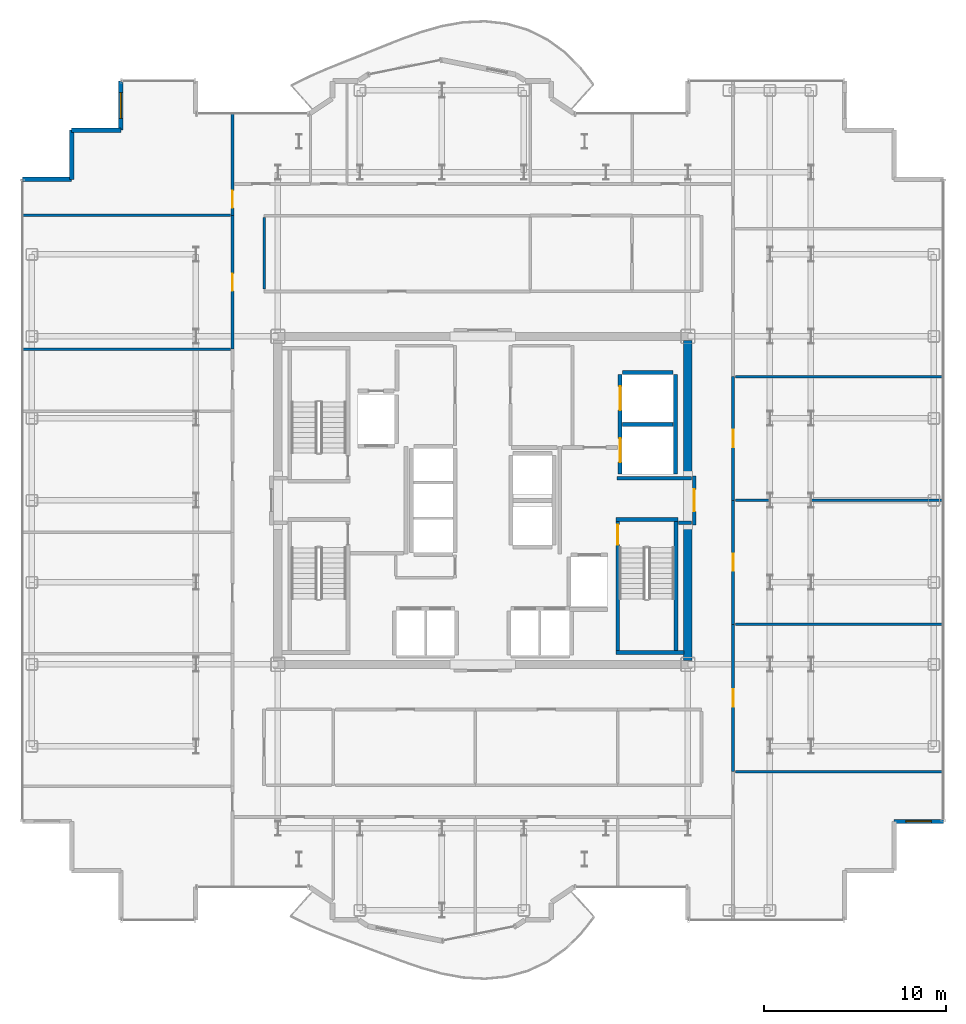
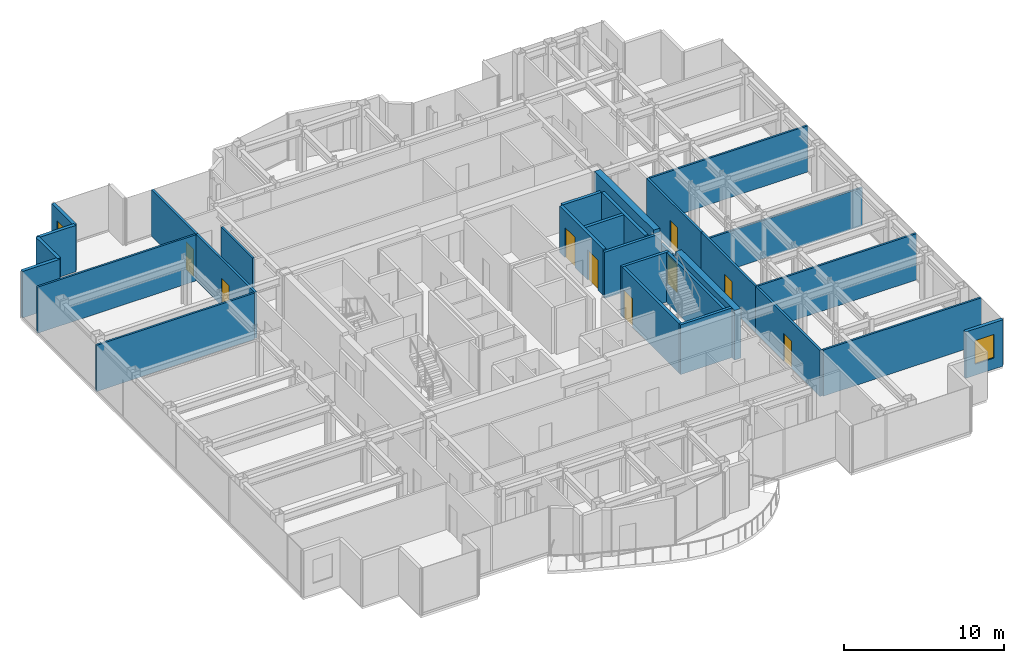
# One storey, part 17 of 21: 30 walls, 9 doors, 2 windows, 11 openings.
"""IFC4 building model written with IfcOpenShell, lengths in metres."""

from ifc_helpers import new_model, si_unit, direction, frame, frame_2d, origin, place, context, subcontext, project, spatial, rectangle, extrude, source, transform, mapped, material, layer, layer_set, type_object, element, fill, save


model = new_model("IFC4")

# Units and contexts
model_context = context("Model", 3, precision=1e-05, world=origin(), true_north=direction((0.0, 1.0)))
body_context = subcontext(model_context, "Body", "Model", "MODEL_VIEW")
ifc_project = project(units=[si_unit("LENGTHUNIT", "METRE"), si_unit("AREAUNIT", "SQUARE_METRE"), si_unit("VOLUMEUNIT", "CUBIC_METRE"), si_unit("PLANEANGLEUNIT", "RADIAN"), si_unit("MASSUNIT", "GRAM", prefix="KILO")], contexts=[model_context])

# Site, building, storey
site_placement = place(None, origin())
site = spatial("IfcSite", under=ifc_project, at=site_placement, CompositionType="ELEMENT")
building_placement = place(site_placement, origin())
building = spatial("IfcBuilding", under=site, at=building_placement, Name="Nefas-Gora Pilgrimage Tower", CompositionType="ELEMENT")
storey_placement = place(building_placement, frame((0.0, 0.0, 210.39990234375)))
storey = spatial("IfcBuildingStorey", under=building, at=storey_placement, Name="L52", CompositionType="ELEMENT", Elevation=210.39990234375)

# Walls
ifc_material_1 = material(Name="Concrete C50/60", Category="concrete")
ifc_layer_1 = layer(ifc_material_1, 0.449951171875)
ifc_layer_set_1 = layer_set([ifc_layer_1], Name="Concrete C50/60")
wall_type_1 = type_object("IfcWallType", Name="SW-CORE-450", PredefinedType="SHEAR", material=ifc_layer_set_1)
shared_shape_1 = source(origin(), body_context, "Body", "SweptSolid", [
    extrude(rectangle(XDim=7.4248046875, YDim=0.449951171875, at=frame_2d((3.71240234375, 0.0))), origin(), (0.0, 0.0, 1.0), 3.800048828125),
])
for number, where, z_axis, x_axis, name in (
    (1, (11.25, -8.77490234375, 0.0), (0.0, 0.0, 1.0), (0.0, 1.0, 0.0), "L52 Core Shear Wall E-South"),
    (2, (11.25, 1.35009765625, 0.0), (0.0, 0.0, 1.0), (0.0, 1.0, 0.0), "L52 Core Shear Wall E-North"),
):
    element("IfcWall", number, at=place(storey_placement, frame(where, z_axis=z_axis, x_axis=x_axis)), inside=storey, type_object=wall_type_1, Name=name, PredefinedType="SHEAR", context=body_context, shape_type="MappedRepresentation", body=[
        mapped(shared_shape_1, transform((0.0, 0.0, 0.0), x_axis=(1.0, 0.0, 0.0), y_axis=(0.0, 1.0, 0.0), z_axis=(0.0, 0.0, 1.0), scale=1.0)),
    ])

# Wall, opening, window
ifc_material_2 = material(Name="Precast concrete C45/55", Category="concrete")
ifc_layer_2 = layer(ifc_material_2, 0.239990234375)
ifc_layer_set_2 = layer_set([ifc_layer_2], Name="Precast concrete C45/55")
wall_type_2 = type_object("IfcWallType", Name="EW-SERR-240", PredefinedType="SHEAR", material=ifc_layer_set_2)
shared_shape_2 = source(origin(), body_context, "Body", "SweptSolid", [
    extrude(rectangle(XDim=2.699951171875, YDim=0.239990234375, at=frame_2d((1.35009765625, 0.0))), origin(), (0.0, 0.0, 1.0), 3.550048828125),
])
wall_1_placement = place(storey_placement, frame((22.570068359375, -17.6201171875, 0.0), z_axis=(0.0, 0.0, 1.0), x_axis=(1.0, 0.0, 0.0)))
wall_1 = element("IfcWall", 3, at=wall_1_placement, inside=storey, type_object=wall_type_2, Name="L52 Serrated Corner Shear Pier Wall 5", PredefinedType="SHEAR", context=body_context, shape_type="MappedRepresentation", body=[
    mapped(shared_shape_2, transform((0.0, 0.0, 0.0), x_axis=(1.0, 0.0, 0.0), y_axis=(0.0, 1.0, 0.0), z_axis=(0.0, 0.0, 1.0), scale=1.0)),
])
opening_1_placement = place(wall_1_placement, frame((0.64990234375, 0.0, 0.85009765625)))
opening_1 = element("IfcOpeningElement", 4, at=opening_1_placement, cuts=wall_1, Name="Opening W-V2", PredefinedType="OPENING", context=body_context, shape_type="SweptSolid", body=[
    extrude(rectangle(XDim=1.39990234375, YDim=1.800048828125, at=frame_2d((0.699951171875, 0.89990234375))), frame((0.0, 0.1298828125, 0.0), z_axis=(0.0, -1.0, 0.0), x_axis=(1.0, 0.0, 0.0)), (0.0, 0.0, 1.0), 0.260009765625),
])
ifc_material_3 = material(Name="Dark ceramic-fritted operable aluminium-glass window", Category="aluminium")
window_type = type_object("IfcWindowType", Name="WIN-VENT-1400x1800", PartitioningType="SINGLE_PANEL", PredefinedType="WINDOW", material=ifc_material_3)
shared_shape_3 = source(origin(), body_context, "Body", "SweptSolid", [
    extrude(rectangle(XDim=1.39990234375, YDim=1.800048828125, at=frame_2d((0.699951171875, 0.89990234375))), frame((0.0, 0.030029296875, 0.0), z_axis=(0.0, -1.0, 0.0), x_axis=(1.0, 0.0, 0.0)), (0.0, 0.0, 1.0), 0.06005859375),
])
window_1_placement = place(opening_1_placement, origin())
window_1 = element("IfcWindow", 5, at=window_1_placement, inside=storey, type_object=window_type, Name="L52 Operable Parallel-Outswing Window 5", OverallHeight=1.800048828125, OverallWidth=1.39990234375, PartitioningType="SINGLE_PANEL", PredefinedType="WINDOW", context=body_context, shape_type="MappedRepresentation", body=[
    mapped(shared_shape_3, transform((0.0, 0.0, 0.0), x_axis=(1.0, 0.0, 0.0), y_axis=(0.0, 1.0, 0.0), z_axis=(0.0, 0.0, 1.0), scale=1.0)),
])
fill(opening_1, window_1)

wall_2_placement = place(storey_placement, frame((-19.8701171875, 23.02001953125, 0.0), z_axis=(0.0, 0.0, 1.0), x_axis=(0.0, -1.0, 0.0)))
wall_2 = element("IfcWall", 6, at=wall_2_placement, inside=storey, type_object=wall_type_2, Name="L52 Serrated Corner Shear Pier Wall 21", PredefinedType="SHEAR", context=body_context, shape_type="MappedRepresentation", body=[
    mapped(shared_shape_2, transform((0.0, 0.0, 0.0), x_axis=(1.0, 0.0, 0.0), y_axis=(0.0, 1.0, 0.0), z_axis=(0.0, 0.0, 1.0), scale=1.0)),
])
opening_2_placement = place(wall_2_placement, frame((0.64990234375, 0.0, 0.85009765625)))
opening_2 = element("IfcOpeningElement", 7, at=opening_2_placement, cuts=wall_2, Name="Opening W-V2", PredefinedType="OPENING", context=body_context, shape_type="SweptSolid", body=[
    extrude(rectangle(XDim=1.39990234375, YDim=1.800048828125, at=frame_2d((0.699951171875, 0.89990234375))), frame((0.0, 0.1298828125, 0.0), z_axis=(0.0, -1.0, 0.0), x_axis=(1.0, 0.0, 0.0)), (0.0, 0.0, 1.0), 0.260009765625),
])
window_2_placement = place(opening_2_placement, origin())
window_2 = element("IfcWindow", 8, at=window_2_placement, inside=storey, type_object=window_type, Name="L52 Operable Parallel-Outswing Window 21", OverallHeight=1.800048828125, OverallWidth=1.39990234375, PartitioningType="SINGLE_PANEL", PredefinedType="WINDOW", context=body_context, shape_type="MappedRepresentation", body=[
    mapped(shared_shape_3, transform((0.0, 0.0, 0.0), x_axis=(1.0, 0.0, 0.0), y_axis=(0.0, 1.0, 0.0), z_axis=(0.0, 0.0, 1.0), scale=1.0)),
])
fill(opening_2, window_2)

# Walls
for number, where, z_axis, x_axis, name in (
    (9, (-19.8701171875, 20.320068359375, 0.0), (0.0, 0.0, 1.0), (-1.0, 0.0, 0.0), "L52 Serrated Corner Shear Pier Wall 22"),
    (10, (-22.570068359375, 20.320068359375, 0.0), (0.0, 0.0, 1.0), (0.0, -1.0, 0.0), "L52 Serrated Corner Shear Pier Wall 23"),
    (11, (-22.570068359375, 17.6201171875, 0.0), (0.0, 0.0, 1.0), (-1.0, 0.0, 0.0), "L52 Serrated Corner Shear Pier Wall 24"),
):
    element("IfcWall", number, at=place(storey_placement, frame(where, z_axis=z_axis, x_axis=x_axis)), inside=storey, type_object=wall_type_2, Name=name, PredefinedType="SHEAR", context=body_context, shape_type="MappedRepresentation", body=[
        mapped(shared_shape_2, transform((0.0, 0.0, 0.0), x_axis=(1.0, 0.0, 0.0), y_axis=(0.0, 1.0, 0.0), z_axis=(0.0, 0.0, 1.0), scale=1.0)),
    ])
ifc_material_4 = material(Name="Concrete C45/55", Category="concrete")
ifc_layer_3 = layer(ifc_material_4, 0.199951171875)
ifc_layer_set_3 = layer_set([ifc_layer_3], Name="Concrete C45/55")
wall_type_3 = type_object("IfcWallType", Name="IW-STAIR-200", PredefinedType="SOLIDWALL", material=ifc_layer_set_3)
shared_shape_4 = source(origin(), body_context, "Body", "SweptSolid", [
    extrude(rectangle(XDim=3.39990234375, YDim=0.199951171875, at=frame_2d((1.699951171875, 0.0))), origin(), (0.0, 0.0, 1.0), 3.800048828125),
])
wall_3_placement = place(storey_placement, frame((7.300048828125, -1.050048828125, 0.0), z_axis=(0.0, 0.0, 1.0), x_axis=(1.0, 0.0, 0.0)))
element("IfcWall", 12, at=wall_3_placement, inside=storey, type_object=wall_type_3, Name="L52 Stairwell Shear Wall ST-02-near", PredefinedType="SOLIDWALL", context=body_context, shape_type="MappedRepresentation", body=[
    mapped(shared_shape_4, transform((0.0, 0.0, 0.0), x_axis=(1.0, 0.0, 0.0), y_axis=(0.0, 1.0, 0.0), z_axis=(0.0, 0.0, 1.0), scale=1.0)),
])

# Wall, opening, door
shared_shape_5 = source(origin(), body_context, "Body", "SweptSolid", [
    extrude(rectangle(XDim=7.10009765625, YDim=0.199951171875, at=frame_2d((3.550048828125, 0.0))), origin(), (0.0, 0.0, 1.0), 3.800048828125),
])
wall_4_placement = place(storey_placement, frame((7.39990234375, -1.14990234375, 0.0), z_axis=(0.0, 0.0, 1.0), x_axis=(0.0, -1.0, 0.0)))
wall_4 = element("IfcWall", 13, at=wall_4_placement, inside=storey, type_object=wall_type_3, Name="L52 Stairwell Shear Wall ST-02-left", PredefinedType="SOLIDWALL", context=body_context, shape_type="MappedRepresentation", body=[
    mapped(shared_shape_5, transform((0.0, 0.0, 0.0), x_axis=(1.0, 0.0, 0.0), y_axis=(0.0, 1.0, 0.0), z_axis=(0.0, 0.0, 1.0), scale=1.0)),
])
opening_3_placement = place(wall_4_placement, frame((0.179931640625, 0.0, 0.0)))
opening_3 = element("IfcOpeningElement", 14, at=opening_3_placement, cuts=wall_4, Name="Opening ID-ST1", PredefinedType="OPENING", context=body_context, shape_type="SweptSolid", body=[
    extrude(rectangle(XDim=1.10009765625, YDim=2.14990234375, at=frame_2d((0.550048828125, 1.074951171875))), frame((0.0, 0.10986328125, 0.0), z_axis=(0.0, -1.0, 0.0), x_axis=(1.0, 0.0, 0.0)), (0.0, 0.0, 1.0), 0.219970703125),
])
ifc_material_5 = material(Name="Painted galvanised steel fire stair door", Category="steel")
door_type_1 = type_object("IfcDoorType", Name="DR-INT-STAIR-1100", OperationType="NOTDEFINED", PredefinedType="DOOR", material=ifc_material_5)
shared_shape_6 = source(origin(), body_context, "Body", "SweptSolid", [
    extrude(rectangle(XDim=1.10009765625, YDim=2.14990234375, at=frame_2d((0.550048828125, 1.074951171875))), frame((0.0, 0.02490234375, 0.0), z_axis=(0.0, -1.0, 0.0), x_axis=(1.0, 0.0, 0.0)), (0.0, 0.0, 1.0), 0.050048828125),
])
door_1_placement = place(opening_3_placement, origin())
door_1 = element("IfcDoor", 15, at=door_1_placement, inside=storey, type_object=door_type_1, Name="L52 Protected Exit Stair Door ST-02", OperationType="SINGLE_SWING_LEFT", OverallHeight=2.14990234375, OverallWidth=1.10009765625, PredefinedType="DOOR", context=body_context, shape_type="MappedRepresentation", body=[
    mapped(shared_shape_6, transform((0.0, 0.0, 0.0), x_axis=(1.0, 0.0, 0.0), y_axis=(0.0, 1.0, 0.0), z_axis=(0.0, 0.0, 1.0), scale=1.0)),
])
fill(opening_3, door_1)

# Walls
wall_5_placement = place(storey_placement, frame((10.60009765625, -1.14990234375, 0.0), z_axis=(0.0, 0.0, 1.0), x_axis=(0.0, -1.0, 0.0)))
element("IfcWall", 16, at=wall_5_placement, inside=storey, type_object=wall_type_3, Name="L52 Stairwell Shear Wall ST-02-right", PredefinedType="SOLIDWALL", context=body_context, shape_type="MappedRepresentation", body=[
    mapped(shared_shape_5, transform((0.0, 0.0, 0.0), x_axis=(1.0, 0.0, 0.0), y_axis=(0.0, 1.0, 0.0), z_axis=(0.0, 0.0, 1.0), scale=1.0)),
])
shared_shape_7 = source(origin(), body_context, "Body", "SweptSolid", [
    extrude(rectangle(XDim=3.72998046875, YDim=0.199951171875, at=frame_2d((1.864990234375, 0.0))), origin(), (0.0, 0.0, 1.0), 3.800048828125),
])
wall_6_placement = place(storey_placement, frame((7.300048828125, -8.35009765625, 0.0), z_axis=(0.0, 0.0, 1.0), x_axis=(1.0, 0.0, 0.0)))
element("IfcWall", 17, at=wall_6_placement, inside=storey, type_object=wall_type_3, Name="L52 Stairwell Shear Wall ST-02-far", PredefinedType="SOLIDWALL", context=body_context, shape_type="MappedRepresentation", body=[
    mapped(shared_shape_7, transform((0.0, 0.0, 0.0), x_axis=(1.0, 0.0, 0.0), y_axis=(0.0, 1.0, 0.0), z_axis=(0.0, 0.0, 1.0), scale=1.0)),
])

# Wall, openings, doors
ifc_material_6 = material(Name="Concrete C40/50", Category="concrete")
ifc_layer_4 = layer(ifc_material_6, 0.219970703125)
ifc_layer_set_4 = layer_set([ifc_layer_4], Name="Concrete C40/50")
wall_type_4 = type_object("IfcWallType", Name="IW-SHAFT-220", PredefinedType="SOLIDWALL", material=ifc_layer_set_4)
shared_shape_8 = source(origin(), body_context, "Body", "SweptSolid", [
    extrude(rectangle(XDim=5.449951171875, YDim=0.219970703125, at=frame_2d((2.72509765625, 0.0))), origin(), (0.0, 0.0, 1.0), 3.53515625),
])
wall_7_placement = place(storey_placement, frame((7.5400390625, 6.89990234375, 0.0), z_axis=(0.0, 0.0, 1.0), x_axis=(0.0, -1.0, 0.0)))
wall_7 = element("IfcWall", 18, at=wall_7_placement, inside=storey, type_object=wall_type_4, Name="L52 Hoistway Wall SL-01-02-W", PredefinedType="SOLIDWALL", context=body_context, shape_type="MappedRepresentation", body=[
    mapped(shared_shape_8, transform((0.0, 0.0, 0.0), x_axis=(1.0, 0.0, 0.0), y_axis=(0.0, 1.0, 0.0), z_axis=(0.0, 0.0, 1.0), scale=1.0)),
])
opening_4_placement = place(wall_7_placement, frame((3.5, 0.0, 0.0)))
opening_4 = element("IfcOpeningElement", 19, at=opening_4_placement, cuts=wall_7, Name="Opening LD-SV", PredefinedType="OPENING", context=body_context, shape_type="SweptSolid", body=[
    extrude(rectangle(XDim=1.300048828125, YDim=2.300048828125, at=frame_2d((0.64990234375, 1.14990234375))), frame((0.0, 0.119873046875, 0.0), z_axis=(0.0, -1.0, 0.0), x_axis=(1.0, 0.0, 0.0)), (0.0, 0.0, 1.0), 0.239990234375),
])
opening_5_placement = place(wall_7_placement, frame((0.64990234375, 0.0, 0.0)))
opening_5 = element("IfcOpeningElement", 20, at=opening_5_placement, cuts=wall_7, Name="Opening LD-SV", PredefinedType="OPENING", context=body_context, shape_type="SweptSolid", body=[
    extrude(rectangle(XDim=1.300048828125, YDim=2.300048828125, at=frame_2d((0.64990234375, 1.14990234375))), frame((0.0, 0.119873046875, 0.0), z_axis=(0.0, -1.0, 0.0), x_axis=(1.0, 0.0, 0.0)), (0.0, 0.0, 1.0), 0.239990234375),
])
ifc_material_7 = material(Name="Heavy goods sliding lift landing door")
door_type_2 = type_object("IfcDoorType", Name="DR-LIFT-SERV-1300", OperationType="SLIDING_TO_RIGHT", PredefinedType="DOOR", material=ifc_material_7)
shared_shape_9 = source(origin(), body_context, "Body", "SweptSolid", [
    extrude(rectangle(XDim=1.300048828125, YDim=2.300048828125, at=frame_2d((0.64990234375, 1.14990234375))), frame((0.0, 0.02490234375, 0.0), z_axis=(0.0, -1.0, 0.0), x_axis=(1.0, 0.0, 0.0)), (0.0, 0.0, 1.0), 0.050048828125),
])
door_2_placement = place(opening_4_placement, origin())
door_2 = element("IfcDoor", 21, at=door_2_placement, inside=storey, type_object=door_type_2, Name="L52 Sliding Lift Landing Door SL-01", OperationType="SLIDING_TO_RIGHT", OverallHeight=2.300048828125, OverallWidth=1.300048828125, PredefinedType="DOOR", context=body_context, shape_type="MappedRepresentation", body=[
    mapped(shared_shape_9, transform((0.0, 0.0, 0.0), x_axis=(1.0, 0.0, 0.0), y_axis=(0.0, 1.0, 0.0), z_axis=(0.0, 0.0, 1.0), scale=1.0)),
])
fill(opening_4, door_2)
door_3_placement = place(opening_5_placement, origin())
door_3 = element("IfcDoor", 22, at=door_3_placement, inside=storey, type_object=door_type_2, Name="L52 Sliding Lift Landing Door SL-02", OperationType="SLIDING_TO_RIGHT", OverallHeight=2.300048828125, OverallWidth=1.300048828125, PredefinedType="DOOR", context=body_context, shape_type="MappedRepresentation", body=[
    mapped(shared_shape_9, transform((0.0, 0.0, 0.0), x_axis=(1.0, 0.0, 0.0), y_axis=(0.0, 1.0, 0.0), z_axis=(0.0, 0.0, 1.0), scale=1.0)),
])
fill(opening_5, door_3)

# Walls
wall_8_placement = place(storey_placement, frame((10.56005859375, 1.449951171875, 0.0), z_axis=(0.0, 0.0, 1.0), x_axis=(0.0, 1.0, 0.0)))
element("IfcWall", 23, at=wall_8_placement, inside=storey, type_object=wall_type_4, Name="L52 Hoistway Wall SL-01-02-E", PredefinedType="SOLIDWALL", context=body_context, shape_type="MappedRepresentation", body=[
    mapped(shared_shape_8, transform((0.0, 0.0, 0.0), x_axis=(1.0, 0.0, 0.0), y_axis=(0.0, 1.0, 0.0), z_axis=(0.0, 0.0, 1.0), scale=1.0)),
])
shared_shape_10 = source(origin(), body_context, "Body", "SweptSolid", [
    extrude(rectangle(XDim=2.780029296875, YDim=0.219970703125, at=frame_2d((1.39013671875, 0.0))), origin(), (0.0, 0.0, 1.0), 3.53515625),
])
for number, where, z_axis, x_axis, name in (
    (24, (7.659912109375, 4.175048828125, 0.0), (0.0, 0.0, 1.0), (1.0, 0.0, 0.0), "L52 Hoistway Wall SL-01-02-DIV"),
    (25, (10.43994140625, 7.010009765625, 0.0), (0.0, 0.0, 1.0), (-1.0, 0.0, 0.0), "L52 Hoistway Wall SL-02-N"),
):
    element("IfcWall", number, at=place(storey_placement, frame(where, z_axis=z_axis, x_axis=x_axis)), inside=storey, type_object=wall_type_4, Name=name, PredefinedType="SOLIDWALL", context=body_context, shape_type="MappedRepresentation", body=[
        mapped(shared_shape_10, transform((0.0, 0.0, 0.0), x_axis=(1.0, 0.0, 0.0), y_axis=(0.0, 1.0, 0.0), z_axis=(0.0, 0.0, 1.0), scale=1.0)),
    ])
ifc_material_8 = material(Name="Gypsum fire-rated shaftwall")
ifc_layer_5 = layer(ifc_material_8, 0.199951171875)
ifc_layer_set_5 = layer_set([ifc_layer_5], Name="Gypsum fire-rated shaftwall")
wall_type_5 = type_object("IfcWallType", Name="IW-FFLOB-200", PredefinedType="PARTITIONING", material=ifc_layer_set_5)
shared_shape_11 = source(origin(), body_context, "Body", "SweptSolid", [
    extrude(rectangle(XDim=0.719970703125, YDim=0.199951171875, at=frame_2d((0.35986328125, 0.0))), origin(), (0.0, 0.0, 1.0), 3.53515625),
])
wall_9_placement = place(storey_placement, frame((10.739990234375, -1.219970703125, 0.0), z_axis=(0.0, 0.0, 1.0), x_axis=(1.0, 0.0, 0.0)))
element("IfcWall", 26, at=wall_9_placement, inside=storey, type_object=wall_type_5, Name="L52 FF Lobby East Throat S Wall 14", PredefinedType="PARTITIONING", context=body_context, shape_type="MappedRepresentation", body=[
    mapped(shared_shape_11, transform((0.0, 0.0, 0.0), x_axis=(1.0, 0.0, 0.0), y_axis=(0.0, 1.0, 0.0), z_axis=(0.0, 0.0, 1.0), scale=1.0)),
])
shared_shape_12 = source(origin(), body_context, "Body", "SweptSolid", [
    extrude(rectangle(XDim=4.10986328125, YDim=0.199951171875, at=frame_2d((2.054931640625, 0.0))), origin(), (0.0, 0.0, 1.0), 3.53515625),
])
wall_10_placement = place(storey_placement, frame((7.35009765625, 1.219970703125, 0.0), z_axis=(0.0, 0.0, 1.0), x_axis=(1.0, 0.0, 0.0)))
element("IfcWall", 27, at=wall_10_placement, inside=storey, type_object=wall_type_5, Name="L52 FF Lobby East Throat N Wall 13", PredefinedType="PARTITIONING", context=body_context, shape_type="MappedRepresentation", body=[
    mapped(shared_shape_12, transform((0.0, 0.0, 0.0), x_axis=(1.0, 0.0, 0.0), y_axis=(0.0, 1.0, 0.0), z_axis=(0.0, 0.0, 1.0), scale=1.0)),
])
ifc_material_9 = material(Name="Gypsum twin-stud partition")
ifc_layer_6 = layer(ifc_material_9, 0.139892578125)
ifc_layer_set_6 = layer_set([ifc_layer_6], Name="Gypsum twin-stud partition")
wall_type_6 = type_object("IfcWallType", Name="IW-UNIT-140", PredefinedType="PARTITIONING", material=ifc_layer_set_6)
shared_shape_13 = source(origin(), body_context, "Body", "SweptSolid", [
    extrude(rectangle(XDim=11.429931640625, YDim=0.139892578125, at=frame_2d((5.71484375, 0.0))), origin(), (0.0, 0.0, 1.0), 3.53515625),
])
for number, where, z_axis, x_axis, name in (
    (28, (-25.2900390625, 8.294921875, 0.0), (0.0, 0.0, 1.0), (1.0, 0.0, 0.0), "L52 Pastoral Chaplains Counselling Office Partition Wall 37"),
    (29, (-25.2900390625, 15.6474609375, 0.0), (0.0, 0.0, 1.0), (1.0, 0.0, 0.0), "L52 Pilgrim Fellowship Seminar Room Partition Wall 39"),
    (30, (13.860107421875, -14.8974609375, 0.0), (0.0, 0.0, 1.0), (1.0, 0.0, 0.0), "L52 Pilgrim Fellowship Seminar Room Partition Wall 42"),
    (31, (13.860107421875, -6.804931640625, 0.0), (0.0, 0.0, 1.0), (1.0, 0.0, 0.0), "L52 Pilgrim Fellowship Seminar Room Partition Wall 44"),
    (32, (13.860107421875, 6.794921875, 0.0), (0.0, 0.0, 1.0), (1.0, 0.0, 0.0), "L52 Pilgrim Contemplative Lounge Partition Wall 48"),
):
    element("IfcWall", number, at=place(storey_placement, frame(where, z_axis=z_axis, x_axis=x_axis)), inside=storey, type_object=wall_type_6, Name=name, PredefinedType="PARTITIONING", context=body_context, shape_type="MappedRepresentation", body=[
        mapped(shared_shape_13, transform((0.0, 0.0, 0.0), x_axis=(1.0, 0.0, 0.0), y_axis=(0.0, 1.0, 0.0), z_axis=(0.0, 0.0, 1.0), scale=1.0)),
    ])
shared_shape_14 = source(origin(), body_context, "Body", "SweptSolid", [
    extrude(rectangle(XDim=3.929931640625, YDim=0.139892578125, at=frame_2d((1.96484375, 0.0))), origin(), (0.0, 0.0, 1.0), 3.53515625),
])
wall_11_placement = place(storey_placement, frame((-12.0, 11.590087890625, 0.0), z_axis=(0.0, 0.0, 1.0), x_axis=(0.0, 1.0, 0.0)))
element("IfcWall", 33, at=wall_11_placement, inside=storey, type_object=wall_type_6, Name="L52 Pilgrim Contemplative Lounge Partition Wall 54", PredefinedType="PARTITIONING", context=body_context, shape_type="MappedRepresentation", body=[
    mapped(shared_shape_14, transform((0.0, 0.0, 0.0), x_axis=(1.0, 0.0, 0.0), y_axis=(0.0, 1.0, 0.0), z_axis=(0.0, 0.0, 1.0), scale=1.0)),
])

# Wall, opening, door
ifc_material_10 = material(Name="Gypsum acoustic stud partition")
ifc_layer_7 = layer(ifc_material_10, 0.159912109375)
ifc_layer_set_7 = layer_set([ifc_layer_7], Name="Gypsum acoustic stud partition")
wall_type_7 = type_object("IfcWallType", Name="IW-CORR-160", PredefinedType="PARTITIONING", material=ifc_layer_set_7)
shared_shape_15 = source(origin(), body_context, "Body", "SweptSolid", [
    extrude(rectangle(XDim=6.809814453125, YDim=0.159912109375, at=frame_2d((3.40478515625, 0.0))), origin(), (0.0, 0.0, 1.0), 3.53515625),
])
wall_12_placement = place(storey_placement, frame((13.739990234375, -6.804931640625, 0.0), z_axis=(0.0, 0.0, 1.0), x_axis=(0.0, 1.0, 0.0)))
wall_12 = element("IfcWall", 34, at=wall_12_placement, inside=storey, type_object=wall_type_7, Name="L52 Pilgrim Contemplative Lounge Partition Wall 45", PredefinedType="PARTITIONING", context=body_context, shape_type="MappedRepresentation", body=[
    mapped(shared_shape_15, transform((0.0, 0.0, 0.0), x_axis=(1.0, 0.0, 0.0), y_axis=(0.0, 1.0, 0.0), z_axis=(0.0, 0.0, 1.0), scale=1.0)),
])
opening_6_placement = place(wall_12_placement, frame((2.929931640625, 0.0, 0.0)))
opening_6 = element("IfcOpeningElement", 35, at=opening_6_placement, cuts=wall_12, Name="Opening ID-GR1", PredefinedType="OPENING", context=body_context, shape_type="SweptSolid", body=[
    extrude(rectangle(XDim=0.949951171875, YDim=2.10009765625, at=frame_2d((0.47509765625, 1.050048828125))), frame((0.0, 0.08984375, 0.0), z_axis=(0.0, -1.0, 0.0), x_axis=(1.0, 0.0, 0.0)), (0.0, 0.0, 1.0), 0.179931640625),
])
ifc_material_11 = material(Name="Solid core oak fire-rated guest entrance door")
door_type_3 = type_object("IfcDoorType", Name="DR-INT-GUEST-950", OperationType="NOTDEFINED", PredefinedType="DOOR", material=ifc_material_11)
shared_shape_16 = source(origin(), body_context, "Body", "SweptSolid", [
    extrude(rectangle(XDim=0.949951171875, YDim=2.10009765625, at=frame_2d((0.47509765625, 1.050048828125))), frame((0.0, 0.02490234375, 0.0), z_axis=(0.0, -1.0, 0.0), x_axis=(1.0, 0.0, 0.0)), (0.0, 0.0, 1.0), 0.050048828125),
])
door_4_placement = place(opening_6_placement, origin())
door_4 = element("IfcDoor", 36, at=door_4_placement, inside=storey, type_object=door_type_3, Name="L52 Pilgrim Contemplative Lounge Door 20", OperationType="SINGLE_SWING_RIGHT", OverallHeight=2.10009765625, OverallWidth=0.949951171875, PredefinedType="DOOR", context=body_context, shape_type="MappedRepresentation", body=[
    mapped(shared_shape_16, transform((0.0, 0.0, 0.0), x_axis=(1.0, 0.0, 0.0), y_axis=(0.0, 1.0, 0.0), z_axis=(0.0, 0.0, 1.0), scale=1.0)),
])
fill(opening_6, door_4)

wall_13_placement = place(storey_placement, frame((13.739990234375, -0.0048828125, 0.0), z_axis=(0.0, 0.0, 1.0), x_axis=(0.0, 1.0, 0.0)))
wall_13 = element("IfcWall", 37, at=wall_13_placement, inside=storey, type_object=wall_type_7, Name="L52 Pilgrim Contemplative Lounge Partition Wall 47", PredefinedType="PARTITIONING", context=body_context, shape_type="MappedRepresentation", body=[
    mapped(shared_shape_15, transform((0.0, 0.0, 0.0), x_axis=(1.0, 0.0, 0.0), y_axis=(0.0, 1.0, 0.0), z_axis=(0.0, 0.0, 1.0), scale=1.0)),
])
opening_7_placement = place(wall_13_placement, frame((2.929931640625, 0.0, 0.0)))
opening_7 = element("IfcOpeningElement", 38, at=opening_7_placement, cuts=wall_13, Name="Opening ID-GR1", PredefinedType="OPENING", context=body_context, shape_type="SweptSolid", body=[
    extrude(rectangle(XDim=0.949951171875, YDim=2.10009765625, at=frame_2d((0.47509765625, 1.050048828125))), frame((0.0, 0.08984375, 0.0), z_axis=(0.0, -1.0, 0.0), x_axis=(1.0, 0.0, 0.0)), (0.0, 0.0, 1.0), 0.179931640625),
])
door_5_placement = place(opening_7_placement, origin())
door_5 = element("IfcDoor", 39, at=door_5_placement, inside=storey, type_object=door_type_3, Name="L52 Pilgrim Contemplative Lounge Door 21", OperationType="SINGLE_SWING_LEFT", OverallHeight=2.10009765625, OverallWidth=0.949951171875, PredefinedType="DOOR", context=body_context, shape_type="MappedRepresentation", body=[
    mapped(shared_shape_16, transform((0.0, 0.0, 0.0), x_axis=(1.0, 0.0, 0.0), y_axis=(0.0, 1.0, 0.0), z_axis=(0.0, 0.0, 1.0), scale=1.0)),
])
fill(opening_7, door_5)

shared_shape_17 = source(origin(), body_context, "Body", "SweptSolid", [
    extrude(rectangle(XDim=2.7001953125, YDim=0.199951171875, at=frame_2d((1.35009765625, 0.0))), origin(), (0.0, 0.0, 1.0), 2.625),
])
wall_14_placement = place(storey_placement, frame((11.60009765625, -1.35009765625, 0.0), z_axis=(0.0, 0.0, 1.0), x_axis=(0.0, 1.0, 0.0)))
wall_14 = element("IfcWall", 40, at=wall_14_placement, inside=storey, type_object=wall_type_5, Name="L52 FF Lobby East Portal Wall 9", PredefinedType="PARTITIONING", context=body_context, shape_type="MappedRepresentation", body=[
    mapped(shared_shape_17, transform((0.0, 0.0, 0.0), x_axis=(1.0, 0.0, 0.0), y_axis=(0.0, 1.0, 0.0), z_axis=(0.0, 0.0, 1.0), scale=1.0)),
])
opening_8_placement = place(wall_14_placement, frame((0.75, 0.0, 0.0)))
opening_8 = element("IfcOpeningElement", 41, at=opening_8_placement, cuts=wall_14, Name="Opening ID-FF1", PredefinedType="OPENING", context=body_context, shape_type="SweptSolid", body=[
    extrude(rectangle(XDim=1.199951171875, YDim=2.14990234375, at=frame_2d((0.60009765625, 1.074951171875))), frame((0.0, 0.10986328125, 0.0), z_axis=(0.0, -1.0, 0.0), x_axis=(1.0, 0.0, 0.0)), (0.0, 0.0, 1.0), 0.219970703125),
])
ifc_material_12 = material(Name="Smoke-sealed steel firefighting lobby door", Category="steel")
door_type_4 = type_object("IfcDoorType", Name="DR-INT-FFLOB-1200", OperationType="NOTDEFINED", PredefinedType="DOOR", material=ifc_material_12)
shared_shape_18 = source(origin(), body_context, "Body", "SweptSolid", [
    extrude(rectangle(XDim=1.199951171875, YDim=2.14990234375, at=frame_2d((0.60009765625, 1.074951171875))), frame((0.0, 0.02490234375, 0.0), z_axis=(0.0, -1.0, 0.0), x_axis=(1.0, 0.0, 0.0)), (0.0, 0.0, 1.0), 0.050048828125),
])
door_6_placement = place(opening_8_placement, origin())
door_6 = element("IfcDoor", 42, at=door_6_placement, inside=storey, type_object=door_type_4, Name="L52 FF Lobby East Portal Door 3", OperationType="SINGLE_SWING_LEFT", OverallHeight=2.14990234375, OverallWidth=1.199951171875, PredefinedType="DOOR", context=body_context, shape_type="MappedRepresentation", body=[
    mapped(shared_shape_18, transform((0.0, 0.0, 0.0), x_axis=(1.0, 0.0, 0.0), y_axis=(0.0, 1.0, 0.0), z_axis=(0.0, 0.0, 1.0), scale=1.0)),
])
fill(opening_8, door_6)

# Wall
shared_shape_19 = source(origin(), body_context, "Body", "SweptSolid", [
    extrude(rectangle(XDim=11.429931640625, YDim=0.139892578125, at=frame_2d((5.71484375, 0.0))), origin(), (0.0, 0.0, 1.0), 2.925048828125),
])
wall_15_placement = place(storey_placement, frame((13.860107421875, -0.0048828125, 0.0), z_axis=(0.0, 0.0, 1.0), x_axis=(1.0, 0.0, 0.0)))
element("IfcWall", 43, at=wall_15_placement, inside=storey, type_object=wall_type_6, Name="L52 Pilgrim Contemplative Lounge Partition Wall 46", PredefinedType="PARTITIONING", context=body_context, shape_type="MappedRepresentation", body=[
    mapped(shared_shape_19, transform((0.0, 0.0, 0.0), x_axis=(1.0, 0.0, 0.0), y_axis=(0.0, 1.0, 0.0), z_axis=(0.0, 0.0, 1.0), scale=1.0)),
])

# Wall, opening, door
shared_shape_20 = source(origin(), body_context, "Body", "SweptSolid", [
    extrude(rectangle(XDim=5.6025390625, YDim=0.159912109375, at=frame_2d((2.80126953125, 0.0))), origin(), (0.0, 0.0, 1.0), 3.53515625),
])
wall_16_placement = place(storey_placement, frame((-13.739990234375, 15.637451171875, 0.0), z_axis=(0.0, 0.0, 1.0), x_axis=(0.0, 1.0, 0.0)))
wall_16 = element("IfcWall", 44, at=wall_16_placement, inside=storey, type_object=wall_type_7, Name="L52 Pilgrim Fellowship Seminar Room Partition Wall 38", PredefinedType="PARTITIONING", context=body_context, shape_type="MappedRepresentation", body=[
    mapped(shared_shape_20, transform((0.0, 0.0, 0.0), x_axis=(1.0, 0.0, 0.0), y_axis=(0.0, 1.0, 0.0), z_axis=(0.0, 0.0, 1.0), scale=1.0)),
])
opening_9_placement = place(wall_16_placement, frame((0.411376953125, 0.0, 0.0)))
opening_9 = element("IfcOpeningElement", 45, at=opening_9_placement, cuts=wall_16, Name="Opening ID-GR1", PredefinedType="OPENING", context=body_context, shape_type="SweptSolid", body=[
    extrude(rectangle(XDim=0.949951171875, YDim=2.10009765625, at=frame_2d((0.47509765625, 1.050048828125))), frame((0.0, 0.08984375, 0.0), z_axis=(0.0, -1.0, 0.0), x_axis=(1.0, 0.0, 0.0)), (0.0, 0.0, 1.0), 0.179931640625),
])
door_7_placement = place(opening_9_placement, origin())
door_7 = element("IfcDoor", 46, at=door_7_placement, inside=storey, type_object=door_type_3, Name="L52 Pilgrim Fellowship Seminar Room Door 16", OperationType="SINGLE_SWING_RIGHT", OverallHeight=2.10009765625, OverallWidth=0.949951171875, PredefinedType="DOOR", context=body_context, shape_type="MappedRepresentation", body=[
    mapped(shared_shape_16, transform((0.0, 0.0, 0.0), x_axis=(1.0, 0.0, 0.0), y_axis=(0.0, 1.0, 0.0), z_axis=(0.0, 0.0, 1.0), scale=1.0)),
])
fill(opening_9, door_7)

shared_shape_21 = source(origin(), body_context, "Body", "SweptSolid", [
    extrude(rectangle(XDim=7.342529296875, YDim=0.159912109375, at=frame_2d((3.67138671875, 0.0))), origin(), (0.0, 0.0, 1.0), 3.53515625),
])
wall_17_placement = place(storey_placement, frame((-13.739990234375, 8.294921875, 0.0), z_axis=(0.0, 0.0, 1.0), x_axis=(0.0, 1.0, 0.0)))
wall_17 = element("IfcWall", 47, at=wall_17_placement, inside=storey, type_object=wall_type_7, Name="L52 Pilgrim Fellowship Seminar Room Partition Wall 40", PredefinedType="PARTITIONING", context=body_context, shape_type="MappedRepresentation", body=[
    mapped(shared_shape_21, transform((0.0, 0.0, 0.0), x_axis=(1.0, 0.0, 0.0), y_axis=(0.0, 1.0, 0.0), z_axis=(0.0, 0.0, 1.0), scale=1.0)),
])
opening_10_placement = place(wall_17_placement, frame((3.1962890625, 0.0, 0.0)))
opening_10 = element("IfcOpeningElement", 48, at=opening_10_placement, cuts=wall_17, Name="Opening ID-GR1", PredefinedType="OPENING", context=body_context, shape_type="SweptSolid", body=[
    extrude(rectangle(XDim=0.949951171875, YDim=2.10009765625, at=frame_2d((0.47509765625, 1.050048828125))), frame((0.0, 0.08984375, 0.0), z_axis=(0.0, -1.0, 0.0), x_axis=(1.0, 0.0, 0.0)), (0.0, 0.0, 1.0), 0.179931640625),
])
door_8_placement = place(opening_10_placement, origin())
door_8 = element("IfcDoor", 49, at=door_8_placement, inside=storey, type_object=door_type_3, Name="L52 Pilgrim Fellowship Seminar Room Door 17", OperationType="SINGLE_SWING_LEFT", OverallHeight=2.10009765625, OverallWidth=0.949951171875, PredefinedType="DOOR", context=body_context, shape_type="MappedRepresentation", body=[
    mapped(shared_shape_16, transform((0.0, 0.0, 0.0), x_axis=(1.0, 0.0, 0.0), y_axis=(0.0, 1.0, 0.0), z_axis=(0.0, 0.0, 1.0), scale=1.0)),
])
fill(opening_10, door_8)

shared_shape_22 = source(origin(), body_context, "Body", "SweptSolid", [
    extrude(rectangle(XDim=8.092529296875, YDim=0.159912109375, at=frame_2d((4.04638671875, 0.0))), origin(), (0.0, 0.0, 1.0), 3.53515625),
])
wall_18_placement = place(storey_placement, frame((13.739990234375, -14.887451171875, 0.0), z_axis=(0.0, 0.0, 1.0), x_axis=(0.0, 1.0, 0.0)))
wall_18 = element("IfcWall", 50, at=wall_18_placement, inside=storey, type_object=wall_type_7, Name="L52 Pilgrim Fellowship Seminar Room Partition Wall 43", PredefinedType="PARTITIONING", context=body_context, shape_type="MappedRepresentation", body=[
    mapped(shared_shape_22, transform((0.0, 0.0, 0.0), x_axis=(1.0, 0.0, 0.0), y_axis=(0.0, 1.0, 0.0), z_axis=(0.0, 0.0, 1.0), scale=1.0)),
])
opening_11_placement = place(wall_18_placement, frame((3.5712890625, 0.0, 0.0)))
opening_11 = element("IfcOpeningElement", 51, at=opening_11_placement, cuts=wall_18, Name="Opening ID-GR1", PredefinedType="OPENING", context=body_context, shape_type="SweptSolid", body=[
    extrude(rectangle(XDim=0.949951171875, YDim=2.10009765625, at=frame_2d((0.47509765625, 1.050048828125))), frame((0.0, 0.08984375, 0.0), z_axis=(0.0, -1.0, 0.0), x_axis=(1.0, 0.0, 0.0)), (0.0, 0.0, 1.0), 0.179931640625),
])
door_9_placement = place(opening_11_placement, origin())
door_9 = element("IfcDoor", 52, at=door_9_placement, inside=storey, type_object=door_type_3, Name="L52 Pilgrim Fellowship Seminar Room Door 19", OperationType="SINGLE_SWING_LEFT", OverallHeight=2.10009765625, OverallWidth=0.949951171875, PredefinedType="DOOR", context=body_context, shape_type="MappedRepresentation", body=[
    mapped(shared_shape_16, transform((0.0, 0.0, 0.0), x_axis=(1.0, 0.0, 0.0), y_axis=(0.0, 1.0, 0.0), z_axis=(0.0, 0.0, 1.0), scale=1.0)),
])
fill(opening_11, door_9)

save(model, "model.ifc")
